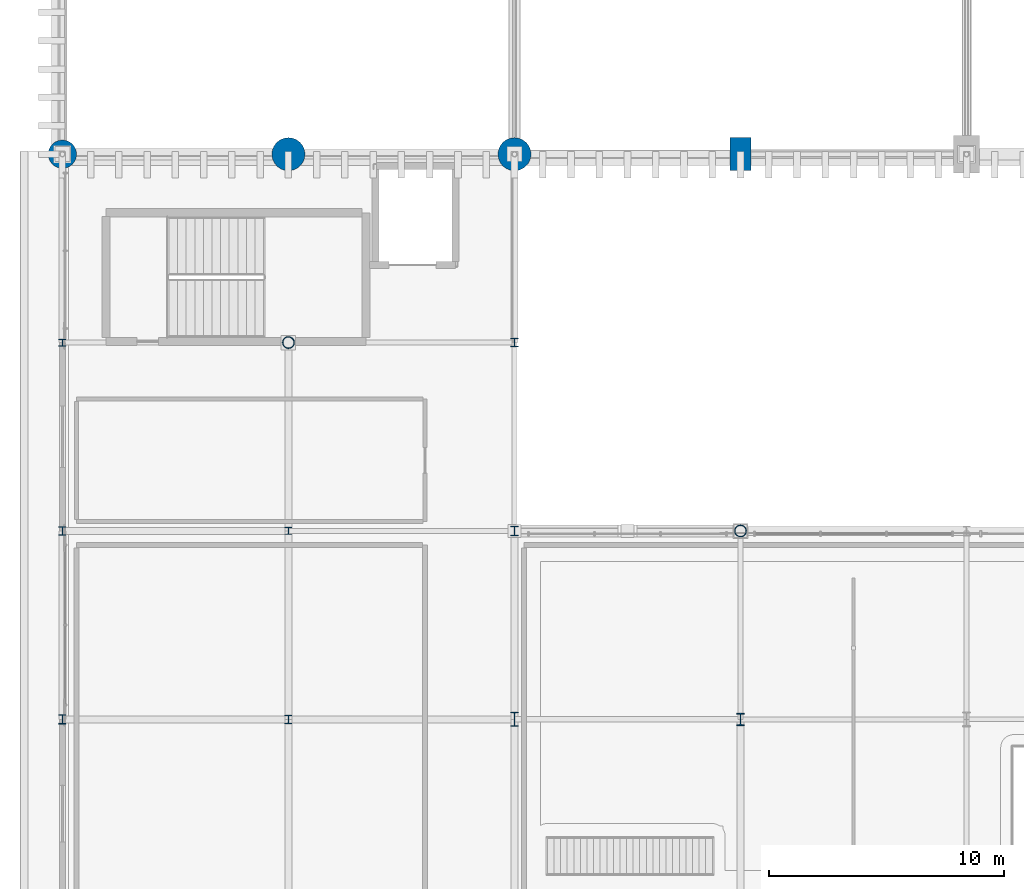
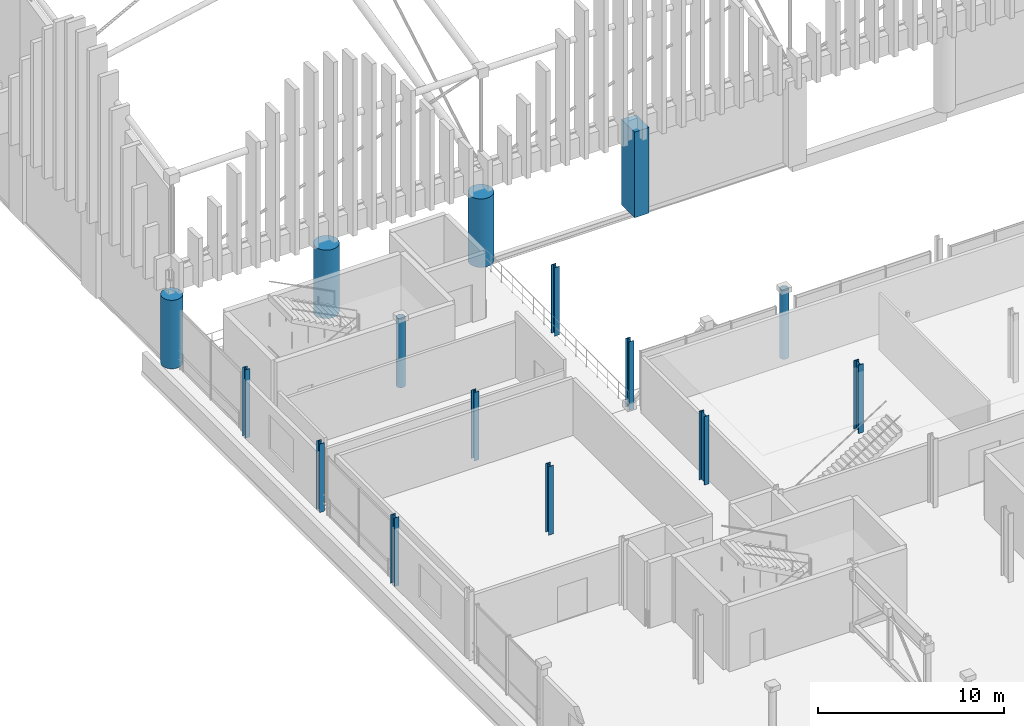
# One storey, part 3 of 193: 15 columns.
"""IFC4 building model written with IfcOpenShell, lengths in metres."""

from ifc_helpers import new_model, si_unit, direction, frame, origin, origin_2d, place, context, subcontext, project, spatial, rectangle, circle, hollow_circle, i_section, extrude, material, material_profile, profile_set, type_object, element, save


model = new_model("IFC4")

# Units and contexts
model_context = context("Model", 3, precision=1e-05, world=origin(), true_north=direction((0.0, 1.0)))
body_context = subcontext(model_context, "Body", "Model", "MODEL_VIEW")
ifc_project = project(units=[si_unit("LENGTHUNIT", "METRE"), si_unit("AREAUNIT", "SQUARE_METRE"), si_unit("VOLUMEUNIT", "CUBIC_METRE"), si_unit("PLANEANGLEUNIT", "RADIAN"), si_unit("MASSUNIT", "GRAM", prefix="KILO")], contexts=[model_context])

# Site, building, storey
site_placement = place(None, origin())
site = spatial("IfcSite", under=ifc_project, at=site_placement, CompositionType="ELEMENT")
building_placement = place(site_placement, origin())
building = spatial("IfcBuilding", under=site, at=building_placement, Name="Danafjord Basin Convention Centre", CompositionType="ELEMENT")
storey_placement = place(building_placement, frame((0.0, 0.0, 11.39990234375)))
storey = spatial("IfcBuildingStorey", under=building, at=storey_placement, Name="L02", CompositionType="ELEMENT", Elevation=11.39990234375)

# Columns
ifc_material_1 = material(Name="Steel S355", Category="steel")
ifc_material_profile_1 = material_profile(ifc_material_1, hollow_circle(Radius=0.25390625, WallThickness=0.02490234375, at=origin_2d()), Name="CHS 508.0x25.0")
ifc_profile_set_1 = profile_set([ifc_material_profile_1], Name="Steel S355")
column_type_1 = type_object("IfcColumnType", Name="COL-C-CHS508", PredefinedType="COLUMN", material=ifc_profile_set_1)
for number, where, z_axis, x_axis, name in (
    (1, (9.60009765625, 48.0, 0.0), (0.0, 0.0, 1.0), (1.0, 0.0, 0.0), "L02 column C-CHS508 at (9.6, 48.0)"),
    (2, (28.800048828125, 40.0, 0.0), (0.0, 0.0, 1.0), (1.0, 0.0, 0.0), "L02 column C-CHS508 at (28.8, 40.0)"),
):
    element("IfcColumn", number, at=place(storey_placement, frame(where, z_axis=z_axis, x_axis=x_axis)), inside=storey, type_object=column_type_1, Name=name, PredefinedType="COLUMN", context=body_context, shape_type="SweptSolid", body=[
        extrude(hollow_circle(Radius=0.25390625, WallThickness=0.02490234375, at=origin_2d()), origin(), (0.0, 0.0, 1.0), 4.5),
    ])
ifc_material_profile_2 = material_profile(ifc_material_1, i_section(OverallWidth=0.300048828125, OverallDepth=0.300048828125, WebThickness=0.010986328125, FlangeThickness=0.01904296875, FilletRadius=0.027099609375, at=origin_2d()), Name="HEB 300")
ifc_profile_set_2 = profile_set([ifc_material_profile_2], Name="Steel S355")
column_type_2 = type_object("IfcColumnType", Name="COL-C-HEB300", PredefinedType="COLUMN", material=ifc_profile_set_2)
for number, where, z_axis, x_axis, name in (
    (3, (0.0, 48.0, 0.0), (0.0, 0.0, 1.0), (1.0, 0.0, 0.0), "L02 column C-HEB300 at (0.0, 48.0)"),
    (4, (9.60009765625, 40.0, 0.0), (0.0, 0.0, 1.0), (1.0, 0.0, 0.0), "L02 column C-HEB300 at (9.6, 40.0)"),
):
    element("IfcColumn", number, at=place(storey_placement, frame(where, z_axis=z_axis, x_axis=x_axis)), inside=storey, type_object=column_type_2, Name=name, PredefinedType="COLUMN", context=body_context, shape_type="SweptSolid", body=[
        extrude(i_section(OverallWidth=0.300048828125, OverallDepth=0.300048828125, WebThickness=0.010986328125, FlangeThickness=0.01904296875, FilletRadius=0.027099609375, at=origin_2d()), origin(), (0.0, 0.0, 1.0), 4.5),
    ])
ifc_material_profile_3 = material_profile(ifc_material_1, i_section(OverallWidth=0.300048828125, OverallDepth=0.360107421875, WebThickness=0.012451171875, FlangeThickness=0.0224609375, FilletRadius=0.027099609375, at=origin_2d()), Name="HEB 360")
ifc_profile_set_3 = profile_set([ifc_material_profile_3], Name="Steel S355")
column_type_3 = type_object("IfcColumnType", Name="COL-C-HEB360", PredefinedType="COLUMN", material=ifc_profile_set_3)
for number, where, z_axis, x_axis, name in (
    (5, (0.0, 40.0, 0.0), (0.0, 0.0, 1.0), (1.0, 0.0, 0.0), "L02 column C-HEB360 at (0.0, 40.0)"),
    (6, (9.60009765625, 32.0, 0.0), (0.0, 0.0, 1.0), (1.0, 0.0, 0.0), "L02 column C-HEB360 at (9.6, 32.0)"),
    (7, (19.199951171875, 48.0, 0.0), (0.0, 0.0, 1.0), (1.0, 0.0, 0.0), "L02 column C-HEB360 at (19.2, 48.0)"),
):
    element("IfcColumn", number, at=place(storey_placement, frame(where, z_axis=z_axis, x_axis=x_axis)), inside=storey, type_object=column_type_3, Name=name, PredefinedType="COLUMN", context=body_context, shape_type="SweptSolid", body=[
        extrude(i_section(OverallWidth=0.300048828125, OverallDepth=0.360107421875, WebThickness=0.012451171875, FlangeThickness=0.0224609375, FilletRadius=0.027099609375, at=origin_2d()), origin(), (0.0, 0.0, 1.0), 4.5),
    ])
ifc_material_profile_4 = material_profile(ifc_material_1, i_section(OverallWidth=0.300048828125, OverallDepth=0.39990234375, WebThickness=0.013427734375, FlangeThickness=0.02392578125, FilletRadius=0.027099609375, at=origin_2d()), Name="HEB 400")
ifc_profile_set_4 = profile_set([ifc_material_profile_4], Name="Steel S355")
column_type_4 = type_object("IfcColumnType", Name="COL-C-HEB400", PredefinedType="COLUMN", material=ifc_profile_set_4)
for number, where, z_axis, x_axis, name in (
    (8, (0.0, 32.0, 0.0), (0.0, 0.0, 1.0), (1.0, 0.0, 0.0), "L02 column C-HEB400 at (0.0, 32.0)"),
    (9, (19.199951171875, 40.0, 0.0), (0.0, 0.0, 1.0), (1.0, 0.0, 0.0), "L02 column C-HEB400 at (19.2, 40.0)"),
):
    element("IfcColumn", number, at=place(storey_placement, frame(where, z_axis=z_axis, x_axis=x_axis)), inside=storey, type_object=column_type_4, Name=name, PredefinedType="COLUMN", context=body_context, shape_type="SweptSolid", body=[
        extrude(i_section(OverallWidth=0.300048828125, OverallDepth=0.39990234375, WebThickness=0.013427734375, FlangeThickness=0.02392578125, FilletRadius=0.027099609375, at=origin_2d()), origin(), (0.0, 0.0, 1.0), 4.5),
    ])
ifc_material_profile_5 = material_profile(ifc_material_1, i_section(OverallWidth=0.300048828125, OverallDepth=0.60009765625, WebThickness=0.015380859375, FlangeThickness=0.030029296875, FilletRadius=0.027099609375, at=origin_2d()), Name="HEB 600")
ifc_profile_set_5 = profile_set([ifc_material_profile_5], Name="Steel S355")
column_type_5 = type_object("IfcColumnType", Name="COL-C-HEB600", PredefinedType="COLUMN", material=ifc_profile_set_5)
column_1_placement = place(storey_placement, frame((19.199951171875, 32.0, 0.0), z_axis=(0.0, 0.0, 1.0), x_axis=(1.0, 0.0, 0.0)))
element("IfcColumn", 10, at=column_1_placement, inside=storey, type_object=column_type_5, Name="L02 column C-HEB600 at (19.2, 32.0)", PredefinedType="COLUMN", context=body_context, shape_type="SweptSolid", body=[
    extrude(i_section(OverallWidth=0.300048828125, OverallDepth=0.60009765625, WebThickness=0.015380859375, FlangeThickness=0.030029296875, FilletRadius=0.027099609375, at=origin_2d()), origin(), (0.0, 0.0, 1.0), 4.5),
])
ifc_material_profile_6 = material_profile(ifc_material_1, i_section(OverallWidth=0.305908203125, OverallDepth=0.52392578125, WebThickness=0.02099609375, FlangeThickness=0.0400390625, FilletRadius=0.027099609375, at=origin_2d()), Name="HEM 500")
ifc_profile_set_6 = profile_set([ifc_material_profile_6], Name="Steel S355")
column_type_6 = type_object("IfcColumnType", Name="COL-C-HEM500", PredefinedType="COLUMN", material=ifc_profile_set_6)
column_2_placement = place(storey_placement, frame((28.800048828125, 32.0, 0.0), z_axis=(0.0, 0.0, 1.0), x_axis=(1.0, 0.0, 0.0)))
element("IfcColumn", 11, at=column_2_placement, inside=storey, type_object=column_type_6, Name="L02 column C-HEM500 at (28.8, 32.0)", PredefinedType="COLUMN", context=body_context, shape_type="SweptSolid", body=[
    extrude(i_section(OverallWidth=0.305908203125, OverallDepth=0.52392578125, WebThickness=0.02099609375, FlangeThickness=0.0400390625, FilletRadius=0.027099609375, at=origin_2d()), origin(), (0.0, 0.0, 1.0), 4.5),
])
ifc_material_2 = material(Name="Concrete C50/60", Category="concrete")
ifc_material_profile_7 = material_profile(ifc_material_2, rectangle(XDim=0.89990234375, YDim=1.39990234375, at=origin_2d()), Name="RC 1400x900")
ifc_profile_set_7 = profile_set([ifc_material_profile_7], Name="Concrete C50/60")
column_type_7 = type_object("IfcColumnType", Name="COL-C-RC1400", PredefinedType="COLUMN", material=ifc_profile_set_7)
column_3_placement = place(storey_placement, frame((28.800048828125, 56.0, 0.0), z_axis=(0.0, 0.0, 1.0), x_axis=(1.0, 0.0, 0.0)))
element("IfcColumn", 12, at=column_3_placement, inside=storey, type_object=column_type_7, Name="L02 column C-RC1400 at (28.8, 56.0)", PredefinedType="COLUMN", context=body_context, shape_type="SweptSolid", body=[
    extrude(rectangle(XDim=0.89990234375, YDim=1.39990234375, at=origin_2d()), origin(), (0.0, 0.0, 1.0), 5.6201171875),
])
ifc_material_profile_8 = material_profile(ifc_material_2, circle(Radius=0.60009765625, at=origin_2d()), Name="RC D1200")
ifc_profile_set_8 = profile_set([ifc_material_profile_8], Name="Concrete C50/60")
column_type_8 = type_object("IfcColumnType", Name="COL-C-RCD1200", PredefinedType="COLUMN", material=ifc_profile_set_8)
column_4_placement = place(storey_placement, frame((0.0, 56.0, 0.0), z_axis=(0.0, 0.0, 1.0), x_axis=(1.0, 0.0, 0.0)))
element("IfcColumn", 13, at=column_4_placement, inside=storey, type_object=column_type_8, Name="L02 column C-RCD1200 at (0.0, 56.0)", PredefinedType="COLUMN", context=body_context, shape_type="SweptSolid", body=[
    extrude(circle(Radius=0.60009765625, at=origin_2d()), origin(), (0.0, 0.0, 1.0), 4.5),
])
ifc_material_profile_9 = material_profile(ifc_material_2, circle(Radius=0.699951171875, at=origin_2d()), Name="RC D1400")
ifc_profile_set_9 = profile_set([ifc_material_profile_9], Name="Concrete C50/60")
column_type_9 = type_object("IfcColumnType", Name="COL-C-RCD1400", PredefinedType="COLUMN", material=ifc_profile_set_9)
for number, where, z_axis, x_axis, name in (
    (14, (9.60009765625, 56.0, 0.0), (0.0, 0.0, 1.0), (1.0, 0.0, 0.0), "L02 column C-RCD1400 at (9.6, 56.0)"),
    (15, (19.199951171875, 56.0, 0.0), (0.0, 0.0, 1.0), (1.0, 0.0, 0.0), "L02 column C-RCD1400 at (19.2, 56.0)"),
):
    element("IfcColumn", number, at=place(storey_placement, frame(where, z_axis=z_axis, x_axis=x_axis)), inside=storey, type_object=column_type_9, Name=name, PredefinedType="COLUMN", context=body_context, shape_type="SweptSolid", body=[
        extrude(circle(Radius=0.699951171875, at=origin_2d()), origin(), (0.0, 0.0, 1.0), 4.5),
    ])

save(model, "model.ifc")
